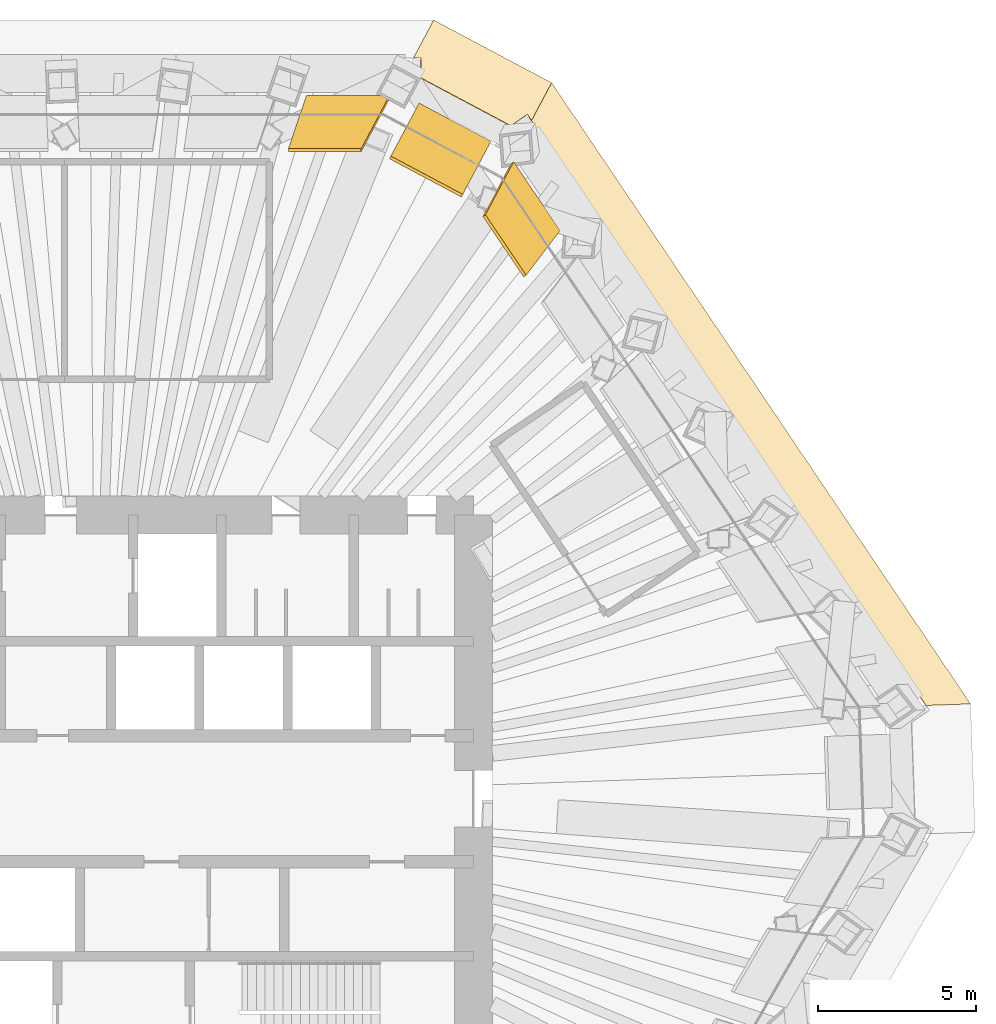
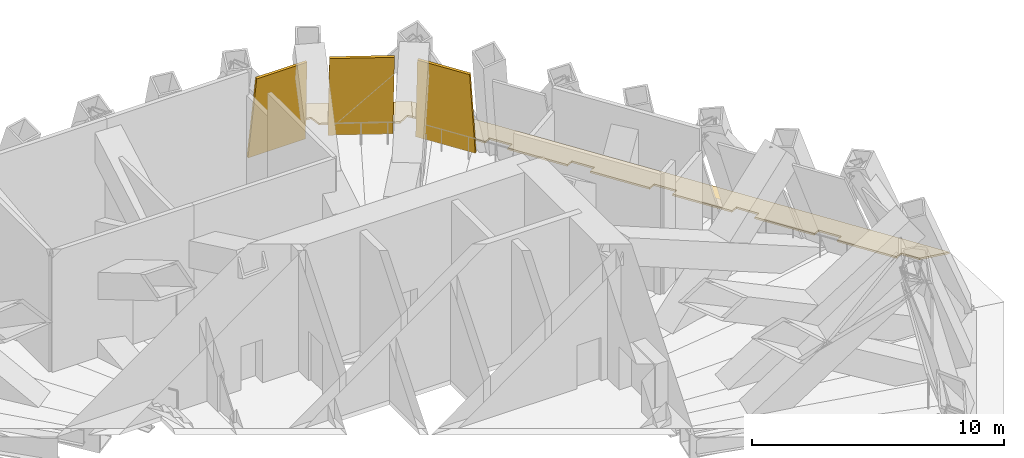
# One storey, part 12 of 12: 3 shading devices, 2 coverings.
"""IFC4 building model written with IfcOpenShell, lengths in metres."""

import ifcopenshell
import ifcopenshell.guid

model = None  # the IFC model being written
_history = None  # IfcOwnerHistory: only IFC2X3 demands one
_inside = {}  # id of a spatial element -> (the spatial element, [elements in it])
_under = {}  # id of a project, library or spatial element -> (it, [spatial elements below it])
_declared = {}  # id of a project -> (the project, [libraries it declares])
_typed = {}  # id of a type object -> (the type object, [elements of that type])
_made_of = {}  # id of a material, layer set ... -> (it, [elements and type objects made of it])


def new_model(schema):
    """Start an empty IFC model of exactly this schema.

    Asked for "IFC4X3", IfcOpenShell would pick the latest addendum, in which some entities
    have other attributes; the version numbers below select the first issue.
    IFC2X3 requires an IfcOwnerHistory on every rooted entity: one is made here for all.
    """
    global model, _history
    if schema == "IFC4X3":
        model = ifcopenshell.file(schema_version=(4, 3, 0, 0))
    else:
        model = ifcopenshell.file(schema=schema)
    _inside.clear()
    _under.clear()
    _declared.clear()
    _typed.clear()
    _made_of.clear()
    _history = None
    if model.schema == "IFC2X3":
        org = make("IfcOrganization", Name="unknown")
        user = make(
            "IfcPersonAndOrganization",
            ThePerson=make("IfcPerson", FamilyName="unknown"),
            TheOrganization=org,
        )
        app = make(
            "IfcApplication",
            ApplicationDeveloper=org,
            Version="unknown",
            ApplicationFullName="unknown",
            ApplicationIdentifier="unknown",
        )
        _history = make(
            "IfcOwnerHistory",
            OwningUser=user,
            OwningApplication=app,
            ChangeAction="ADDED",
            CreationDate=0,
        )
    return model


def make(cls, **values):
    """One entity of the class cls with the attributes given. An attribute that is None is left unset."""
    return model.create_entity(
        cls, **{name: value for name, value in values.items() if value is not None}
    )


def rooted(cls, **values):
    """An entity with a GlobalId (a new one), such as an element, a storey or a relation."""
    return make(cls, GlobalId=ifcopenshell.guid.new(), OwnerHistory=_history, **values)


def si_unit(unit_type, name, prefix=None):
    """IfcSIUnit, for example si_unit("LENGTHUNIT", "METRE", prefix="MILLI")."""
    return make("IfcSIUnit", UnitType=unit_type, Prefix=prefix, Name=name)


def assignment(units):
    """IfcUnitAssignment: the units of a project."""
    return None if units is None else make("IfcUnitAssignment", Units=units)


def point(xyz):
    """IfcCartesianPoint."""
    return None if xyz is None else make("IfcCartesianPoint", Coordinates=xyz)


def direction(xyz):
    """IfcDirection."""
    return None if xyz is None else make("IfcDirection", DirectionRatios=xyz)


def frame(location, z_axis=None, x_axis=None):
    """IfcAxis2Placement3D, a coordinate frame: its origin and axes. An axis left out is left unset."""
    return make(
        "IfcAxis2Placement3D",
        Location=point(location),
        Axis=direction(z_axis),
        RefDirection=direction(x_axis),
    )


def origin():
    """The frame at (0, 0, 0) with its axes left unset."""
    return frame((0.0, 0.0, 0.0))


def place(relative_to, where):
    """IfcLocalPlacement: puts the frame where relative to a parent placement (None: the world)."""
    return make(
        "IfcLocalPlacement", PlacementRelTo=relative_to, RelativePlacement=where
    )


def context(
    kind, dimensions, precision=None, world=None, true_north=None, identifier=None
):
    """IfcGeometricRepresentationContext, for example the 3D "Model" context."""
    return make(
        "IfcGeometricRepresentationContext",
        ContextIdentifier=identifier,
        ContextType=kind,
        CoordinateSpaceDimension=dimensions,
        Precision=precision,
        WorldCoordinateSystem=world,
        TrueNorth=true_north,
    )


def subcontext(parent, identifier, kind, view, scale=None):
    """IfcGeometricRepresentationSubContext, for example "Body" below "Model"."""
    return make(
        "IfcGeometricRepresentationSubContext",
        ContextIdentifier=identifier,
        ContextType=kind,
        ParentContext=parent,
        TargetScale=scale,
        TargetView=view,
    )


def project(units=None, contexts=None):
    """IfcProject with its units and contexts."""
    return rooted(
        "IfcProject",
        Name="project",
        RepresentationContexts=contexts,
        UnitsInContext=assignment(units),
    )


def spatial(cls, under=None, at=None, **own):
    """A site, building, storey or space (cls), placed at a placement, below another one or the project."""
    s = rooted(cls, ObjectPlacement=at, **own)
    if under is not None:
        _under.setdefault(under.id(), (under, []))[1].append(s)
    return s


def polyline(points):
    """IfcPolyline through the points."""
    return make("IfcPolyline", Points=[point(p) for p in points])


def outline(outer, holes=None, kind="AREA"):
    """IfcArbitraryClosedProfileDef: a profile drawn as a closed curve; with holes, ...WithVoids."""
    if holes is None:
        return make("IfcArbitraryClosedProfileDef", ProfileType=kind, OuterCurve=outer)
    return make(
        "IfcArbitraryProfileDefWithVoids",
        ProfileType=kind,
        OuterCurve=outer,
        InnerCurves=holes,
    )


def extrude(swept, where, along, depth):
    """IfcExtrudedAreaSolid: the profile swept, set in the frame where, extruded along a direction by depth."""
    return make(
        "IfcExtrudedAreaSolid",
        SweptArea=swept,
        Position=where,
        ExtrudedDirection=direction(along),
        Depth=depth,
    )


def shape(context_of_items, identifier, shape_type, items):
    """IfcShapeRepresentation: the items that make up one representation, for example the "Body"."""
    return make(
        "IfcShapeRepresentation",
        ContextOfItems=context_of_items,
        RepresentationIdentifier=identifier,
        RepresentationType=shape_type,
        Items=items,
    )


def material(Name=None, Category=None):
    """IfcMaterial."""
    return make("IfcMaterial", Name=Name, Category=Category)


def layer(
    of_material, thickness, ventilated=None, Name=None, Category=None, Priority=None
):
    """IfcMaterialLayer: one layer of a wall or slab, of a material (None: an air gap)."""
    return make(
        "IfcMaterialLayer",
        Material=of_material,
        LayerThickness=thickness,
        IsVentilated=ventilated,
        Name=Name,
        Category=Category,
        Priority=Priority,
    )


def layer_set(layers, Name=None):
    """IfcMaterialLayerSet."""
    return make("IfcMaterialLayerSet", MaterialLayers=layers, LayerSetName=Name)


def made_of(thing, what):
    """Note that an element or type object is made of a material, layer set ...; save() writes the relation."""
    if what is not None:
        _made_of.setdefault(what.id(), (what, []))[1].append(thing)
    return thing


def type_object(cls, material=None, **own):
    """A type object (cls), such as IfcWallType, which elements share."""
    return made_of(rooted(cls, **own), material)


def element(
    cls,
    number,
    at=None,
    inside=None,
    cuts=None,
    type_object=None,
    material=None,
    context=None,
    identifier="Body",
    shape_type=None,
    held_by="IfcProductDefinitionShape",
    body=None,
    shapes=None,
    **own,
):
    """One element of the class cls, such as IfcWall. Its Tag is "e" and its number.

    at: its placement. inside: the storey or other place that contains it. cuts: it is an
    opening in that element (IfcRelVoidsElement). A single representation is given by context,
    identifier, shape_type and body (its items); several are given by shapes. held_by: the class
    of the entity that holds the representations. save() writes the other relations.
    """
    e = rooted(cls, Tag="e%d" % number, ObjectPlacement=at, **own)
    if body is not None:
        shapes = [shape(context, identifier, shape_type, body)]
    if shapes is not None:
        e.Representation = make(held_by, Representations=shapes)
    if inside is not None:
        _inside.setdefault(inside.id(), (inside, []))[1].append(e)
    if cuts is not None:
        rooted(
            "IfcRelVoidsElement", RelatingBuildingElement=cuts, RelatedOpeningElement=e
        )
    if type_object is not None:
        _typed.setdefault(type_object.id(), (type_object, []))[1].append(e)
    return made_of(e, material)


def aggregate(whole, parts):
    """IfcRelAggregates: a whole, such as a stair, and the parts it consists of."""
    return rooted("IfcRelAggregates", RelatingObject=whole, RelatedObjects=parts)


def save(model, path):
    """Write the relations noted so far, then the file.

    IfcRelAggregates (storeys below a building ...), IfcRelContainedInSpatialStructure (elements
    in a storey), IfcRelDefinesByType, IfcRelAssociatesMaterial and IfcRelDeclares: one each for
    every whole, place, type object, material and project.
    """
    for whole, parts in _under.values():
        aggregate(whole, parts)
    for where, things in _inside.values():
        rooted(
            "IfcRelContainedInSpatialStructure",
            RelatedElements=things,
            RelatingStructure=where,
        )
    for kind, things in _typed.values():
        rooted("IfcRelDefinesByType", RelatedObjects=things, RelatingType=kind)
    for what, things in _made_of.values():
        rooted("IfcRelAssociatesMaterial", RelatedObjects=things, RelatingMaterial=what)
    for by, libraries in _declared.values():
        rooted("IfcRelDeclares", RelatingContext=by, RelatedDefinitions=libraries)
    model.write(path)


model = new_model("IFC4")

# Units and contexts
model_context = context("Model", 3, precision=1e-05, world=origin(), true_north=direction((0.0, 1.0)))
body_context = subcontext(model_context, "Body", "Model", "MODEL_VIEW")
ifc_project = project(units=[si_unit("LENGTHUNIT", "METRE"), si_unit("AREAUNIT", "SQUARE_METRE"), si_unit("VOLUMEUNIT", "CUBIC_METRE"), si_unit("PLANEANGLEUNIT", "RADIAN"), si_unit("MASSUNIT", "GRAM", prefix="KILO")], contexts=[model_context])

# Site, building, storey
site_placement = place(None, origin())
site = spatial("IfcSite", under=ifc_project, at=site_placement, CompositionType="ELEMENT")
building_placement = place(site_placement, origin())
building = spatial("IfcBuilding", under=site, at=building_placement, Name="Qingtian Harvest Tower", CompositionType="ELEMENT")
storey_placement = place(building_placement, frame((0.0, 0.0, 256.0)))
storey = spatial("IfcBuildingStorey", under=building, at=storey_placement, Name="L56", CompositionType="ELEMENT", Elevation=256.0)

# Coverings
ifc_material_1 = material(Name="Bronze-finished aluminium plate", Category="aluminium")
ifc_layer_1 = layer(ifc_material_1, 0.080078125)
ifc_layer_set_1 = layer_set([ifc_layer_1], Name="Bronze eave band EB1")
covering_type = type_object("IfcCoveringType", Name="Bronze eave band EB1", PredefinedType="CLADDING", material=ifc_layer_set_1)
covering_1_placement = place(storey_placement, frame((10.329345703125, 22.8623046875, -0.02001953125), z_axis=(0.076692551246, 0.144235259521, 0.986566998482), x_axis=(3.6634e-06, 0.989481188556, -0.144661596422)))
element("IfcCovering", 1, at=covering_1_placement, inside=storey, type_object=covering_type, Name="Eave band EB1 L56 2", PredefinedType="CLADDING", context=body_context, shape_type="SweptSolid", body=[
    extrude(outline(polyline([(0.0, 0.0), (0.6444789048688543, 0.0), (0.6418292142116498, 0.2348307961240151), (1.861723649299452, -0.40499424045576793), (-0.10707897134162847, -4.1582425727228935), (-1.326973407323815, -3.518174114563729), (-1.1322748719107605, -3.3869356030107505), (-1.498464128840924, -2.8568065483417517), (0.0, 0.0)])), origin(), (0.0, 0.0, -1.0), 0.080078125),
])
covering_2_placement = place(storey_placement, frame((13.933837890625, 20.651611328125, -0.02001953125), z_axis=(0.152820238092, 0.103079066392, 0.98286351082), x_axis=(0.81454774794, 0.550029686334, -0.184334778266)))
element("IfcCovering", 2, at=covering_2_placement, inside=storey, type_object=covering_type, Name="Eave band EB1 L56 3", PredefinedType="CLADDING", context=body_context, shape_type="SweptSolid", body=[
    extrude(outline(polyline([(0.0, 0.0), (0.4070126564935245, -1.6581516975450183e-17), (0.40734479384255484, 0.7657035533360286), (1.6286778961387125, 1.403022564325887), (1.6166062110102015, -22.364383472815494), (0.39616597217566707, -21.613917326620886), (0.396570890554366, -20.801424103267543), (-0.01030748134776971, -20.80122176944333), (-0.009083497064443335, -18.16784666896033), (0.397929159429082, -18.167846668960333), (0.3982274735339103, -17.16792152082807), (-0.008650898368224524, -17.167719187003858), (-0.007292629493507619, -14.534141752696646), (0.3995857424086272, -14.534344086520857), (0.4002172053011198, -13.534353226919222), (-0.006661166601015012, -13.53415089309501), (-0.005302897726298994, -10.900573458787797), (0.40157547417583583, -10.90077579261201), (0.40200807287205376, -9.900648310655535), (-0.005004583621470715, -9.900648310655535), (-0.0036463147467538093, -7.267070876348323), (0.403232057155381, -7.267273210172535), (0.40386352004787274, -6.267282350570899), (-0.0030148518542616465, -6.267080016746686), (-0.0016565829795447407, -3.6335025824394735), (0.40522178892258987, -3.633704916263686), (0.40565438761880757, -2.633577434307213), (-0.0012239842833268177, -2.6333751004830006), (0.0, 0.0)])), origin(), (0.0, 0.0, -1.0), 0.080078125),
])

# Shading devices
ifc_material_2 = material(Name="Bronze-finished aluminium lattice", Category="aluminium")
ifc_layer_2 = layer(ifc_material_2, 0.10009765625)
ifc_layer_set_2 = layer_set([ifc_layer_2], Name="Bronze lattice screen LS1")
shading_device_type = type_object("IfcShadingDeviceType", Name="Bronze lattice screen LS1", PredefinedType="USERDEFINED", material=ifc_layer_set_2)
shading_device_1_placement = place(storey_placement, frame((6.69580078125, 22.300048828125, 0.0), z_axis=(0.0, 0.948683298051, 0.316227766017), x_axis=(1.0, 0.0, 0.0)))
element("IfcShadingDevice", 3, at=shading_device_1_placement, inside=storey, type_object=shading_device_type, Name="Lattice screen LS1 L56 N5", ObjectType="SCREEN", PredefinedType="USERDEFINED", context=body_context, shape_type="SweptSolid", body=[
    extrude(outline(polyline([(0.0, 0.0), (2.633544921875, 0.0), (1.738525390625, -5.32321886397973), (-0.570556640625, -5.32321886397973), (0.0, 0.0)])), origin(), (0.0, 0.0, -1.0), 0.10009765625),
])
shading_device_2_placement = place(storey_placement, frame((10.270751953125, 22.065185546875, 0.0), z_axis=(0.439216595362, 0.826042252893, 0.353189720681), x_axis=(0.882946645322, -0.46947334484, 0.0)))
element("IfcShadingDevice", 4, at=shading_device_2_placement, inside=storey, type_object=shading_device_type, Name="Lattice screen LS1 L56 NC", ObjectType="SCREEN", PredefinedType="USERDEFINED", context=body_context, shape_type="SweptSolid", body=[
    extrude(outline(polyline([(0.0, 0.0), (2.5809131342463703, 0.0), (2.580946413279276, -5.397936553354545), (3.327903290561984e-05, -5.397936553354545), (0.0, 0.0)])), origin(), (0.0, 0.0, -1.0), 0.10009765625),
])
shading_device_3_placement = place(storey_placement, frame((13.270751953125, 20.204345703125, 0.0), z_axis=(0.78648625661, 0.530493977067, 0.316252286093), x_axis=(0.559193575923, -0.829037118972, 3.592485e-06)))
element("IfcShadingDevice", 5, at=shading_device_3_placement, inside=storey, type_object=shading_device_type, Name="Lattice screen LS1 L56 NE0", ObjectType="SCREEN", PredefinedType="USERDEFINED", context=body_context, shape_type="SweptSolid", body=[
    extrude(outline(polyline([(0.0, 0.0), (2.633577784407942, 1.6653345369377348e-16), (3.204047186491791, -5.323252595228789), (0.8949517585335637, -5.32327131236155), (0.0, 0.0)])), origin(), (0.0, 0.0, -1.0), 0.10009765625),
])

save(model, "model.ifc")
